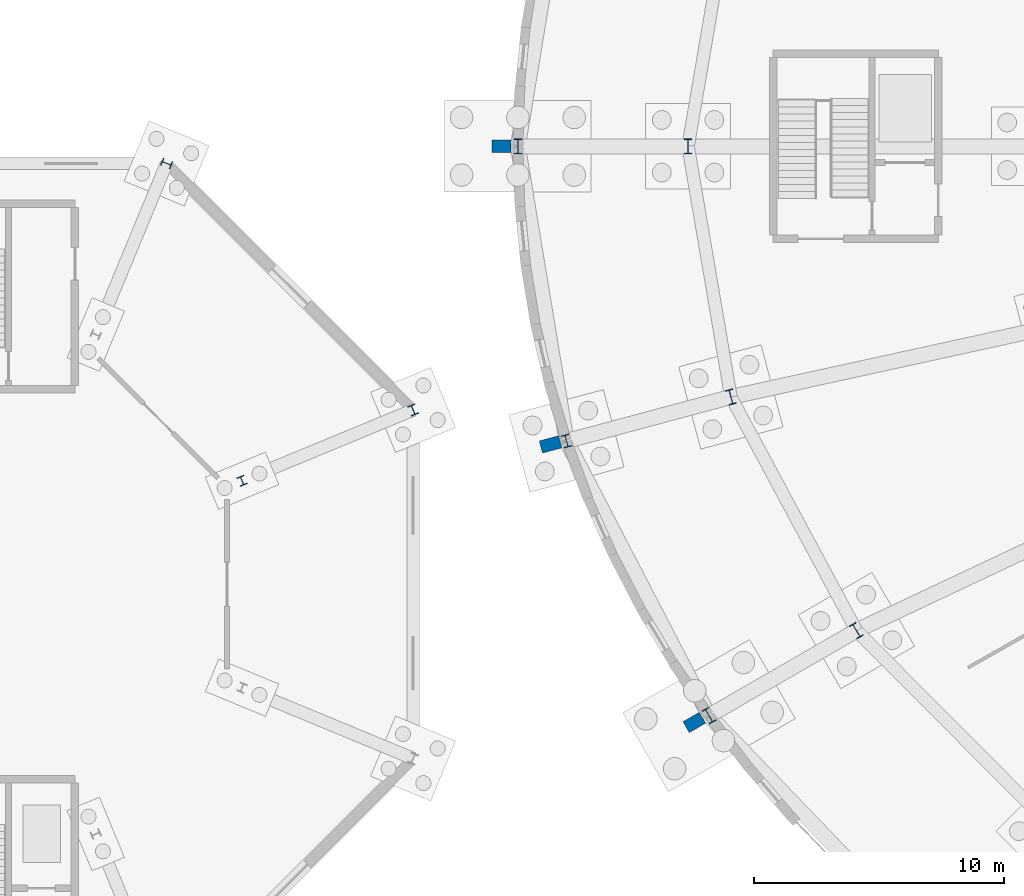
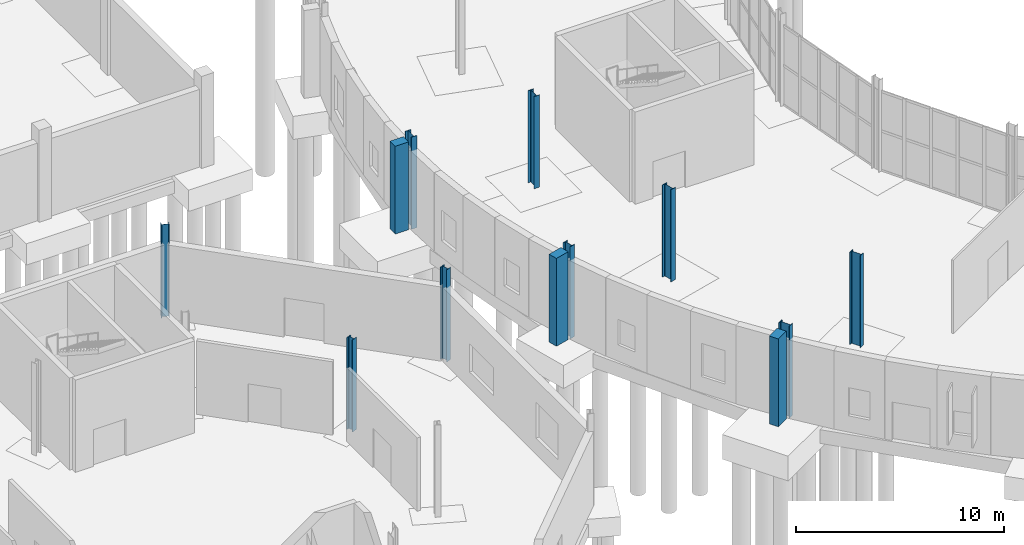
# One storey, part 24 of 118: 12 columns.
"""IFC4 building model written with IfcOpenShell, lengths in metres."""

from ifc_helpers import new_model, si_unit, direction, frame, origin, origin_2d, place, context, subcontext, project, spatial, rectangle, i_section, extrude, material, material_profile, profile_set, type_object, element, save


model = new_model("IFC4")

# Units and contexts
model_context = context("Model", 3, precision=1e-05, world=origin(), true_north=direction((0.0, 1.0)))
body_context = subcontext(model_context, "Body", "Model", "MODEL_VIEW")
ifc_project = project(units=[si_unit("LENGTHUNIT", "METRE"), si_unit("AREAUNIT", "SQUARE_METRE"), si_unit("VOLUMEUNIT", "CUBIC_METRE"), si_unit("PLANEANGLEUNIT", "RADIAN"), si_unit("MASSUNIT", "GRAM", prefix="KILO")], contexts=[model_context])

# Site, building, storey
site_placement = place(None, origin())
site = spatial("IfcSite", under=ifc_project, at=site_placement, CompositionType="ELEMENT")
building_placement = place(site_placement, origin())
building = spatial("IfcBuilding", under=site, at=building_placement, Name="Kildeholm Park Wholesale Market", CompositionType="ELEMENT")
storey_placement = place(building_placement, origin())
storey = spatial("IfcBuildingStorey", under=building, at=storey_placement, Name="L00", CompositionType="ELEMENT", Elevation=0.0)

# Columns
ifc_material_1 = material(Name="Steel S355", Category="steel")
ifc_material_profile_1 = material_profile(ifc_material_1, i_section(OverallWidth=0.300048828125, OverallDepth=0.360107421875, WebThickness=0.012451171875, FlangeThickness=0.0224609375, FilletRadius=0.027099609375, at=origin_2d()), Name="HEB 360")
ifc_profile_set_1 = profile_set([ifc_material_profile_1], Name="Steel S355")
column_type_1 = type_object("IfcColumnType", Name="Column C-S04 HEB 360", PredefinedType="COLUMN", material=ifc_profile_set_1)
column_1_placement = place(storey_placement, frame((30.97802734375, 76.133056640625, 0.0), z_axis=(0.0, 0.0, 1.0), x_axis=(0.923879532511, 0.382683432365, 0.0)))
element("IfcColumn", 1, at=column_1_placement, inside=storey, type_object=column_type_1, Name="Column V3-IN-00 L00 COL-0297", PredefinedType="COLUMN", context=body_context, shape_type="SweptSolid", body=[
    extrude(i_section(OverallWidth=0.300048828125, OverallDepth=0.360107421875, WebThickness=0.012451171875, FlangeThickness=0.0224609375, FilletRadius=0.027099609375, at=origin_2d()), origin(), (0.0, 0.0, 1.0), 5.39990234375),
])
ifc_material_profile_2 = material_profile(ifc_material_1, i_section(OverallWidth=0.300048828125, OverallDepth=0.39990234375, WebThickness=0.013427734375, FlangeThickness=0.02392578125, FilletRadius=0.027099609375, at=origin_2d()), Name="HEB 400")
ifc_profile_set_2 = profile_set([ifc_material_profile_2], Name="Steel S355")
column_type_2 = type_object("IfcColumnType", Name="Column C-S05 HEB 400", PredefinedType="COLUMN", material=ifc_profile_set_2)
for number, where, z_axis, x_axis, name in (
    (2, (37.81494140625, 78.965087890625, 0.0), (0.0, 0.0, 1.0), (0.923879532511, 0.382683432365, 0.0), "Column V3-OT-00 L00 COL-0299"),
    (3, (27.965087890625, 88.81494140625, 0.0), (0.0, 0.0, 1.0), (0.382683432365, 0.923879532511, 0.0), "Column V3-OT-01 L00 COL-0303"),
):
    element("IfcColumn", number, at=place(storey_placement, frame(where, z_axis=z_axis, x_axis=x_axis)), inside=storey, type_object=column_type_2, Name=name, PredefinedType="COLUMN", context=body_context, shape_type="SweptSolid", body=[
        extrude(i_section(OverallWidth=0.300048828125, OverallDepth=0.39990234375, WebThickness=0.013427734375, FlangeThickness=0.02392578125, FilletRadius=0.027099609375, at=origin_2d()), origin(), (0.0, 0.0, 1.0), 5.39990234375),
    ])
ifc_material_profile_3 = material_profile(ifc_material_1, i_section(OverallWidth=0.300048828125, OverallDepth=0.5, WebThickness=0.014404296875, FlangeThickness=0.028076171875, FilletRadius=0.027099609375, at=origin_2d()), Name="HEB 500")
ifc_profile_set_3 = profile_set([ifc_material_profile_3], Name="Steel S355")
column_type_3 = type_object("IfcColumnType", Name="Column C-S07 HEB 500", PredefinedType="COLUMN", material=ifc_profile_set_3)
column_2_placement = place(storey_placement, frame((43.94189453125, 77.72412109375, 0.0), z_axis=(0.0, 0.0, 1.0), x_axis=(-0.965925826289, -0.258819045103, 0.0)))
element("IfcColumn", 4, at=column_2_placement, inside=storey, type_object=column_type_3, Name="Column V1-OT-13 L00 COL-0124", PredefinedType="COLUMN", context=body_context, shape_type="SweptSolid", body=[
    extrude(i_section(OverallWidth=0.300048828125, OverallDepth=0.5, WebThickness=0.014404296875, FlangeThickness=0.028076171875, FilletRadius=0.027099609375, at=origin_2d()), origin(), (0.0, 0.0, 1.0), 5.39990234375),
])
ifc_material_profile_4 = material_profile(ifc_material_1, i_section(OverallWidth=0.300048828125, OverallDepth=0.60009765625, WebThickness=0.015380859375, FlangeThickness=0.030029296875, FilletRadius=0.027099609375, at=origin_2d()), Name="HEB 600")
ifc_profile_set_4 = profile_set([ifc_material_profile_4], Name="Steel S355")
column_type_4 = type_object("IfcColumnType", Name="Column C-S08 HEB 600", PredefinedType="COLUMN", material=ifc_profile_set_4)
for number, where, z_axis, x_axis, name in (
    (5, (48.800048828125, 89.5, 0.0), (0.0, 0.0, 1.0), (-1.0, 0.0, 0.0), "Column V1-MD-12 L00 COL-0112"),
    (6, (42.0, 89.5, 0.0), (0.0, 0.0, 1.0), (-1.0, 0.0, 0.0), "Column V1-OT-12 L00 COL-0115"),
    (7, (50.510986328125, 79.48388671875, 0.0), (0.0, 0.0, 1.0), (-0.965925826289, -0.258819045103, 0.0), "Column V1-MD-13 L00 COL-0121"),
    (8, (55.52587890625, 70.14990234375, 0.0), (0.0, 0.0, 1.0), (-0.866025403784, -0.5, 0.0), "Column V1-MD-14 L00 COL-0130"),
    (9, (49.636962890625, 66.75, 0.0), (0.0, 0.0, 1.0), (-0.866025403784, -0.5, 0.0), "Column V1-OT-14 L00 COL-0133"),
):
    element("IfcColumn", number, at=place(storey_placement, frame(where, z_axis=z_axis, x_axis=x_axis)), inside=storey, type_object=column_type_4, Name=name, PredefinedType="COLUMN", context=body_context, shape_type="SweptSolid", body=[
        extrude(i_section(OverallWidth=0.300048828125, OverallDepth=0.60009765625, WebThickness=0.015380859375, FlangeThickness=0.030029296875, FilletRadius=0.027099609375, at=origin_2d()), origin(), (0.0, 0.0, 1.0), 5.39990234375),
    ])
ifc_material_2 = material(Name="Precast concrete C40/50", Category="concrete")
ifc_material_profile_5 = material_profile(ifc_material_2, rectangle(XDim=0.800048828125, YDim=0.5, at=origin_2d()), Name="PIL 800x500")
ifc_profile_set_5 = profile_set([ifc_material_profile_5], Name="Precast concrete C40/50")
column_type_5 = type_object("IfcColumnType", Name="Column PL-M01 PIL 800x500", PredefinedType="PILASTER", material=ifc_profile_set_5)
column_3_placement = place(storey_placement, frame((43.305908203125, 77.587890625, 0.0), z_axis=(0.0, 0.0, 1.0), x_axis=(-0.965925826289, -0.258819045103, 0.0)))
element("IfcColumn", 10, at=column_3_placement, inside=storey, type_object=column_type_5, Name="Market ring pilaster 14 COL-0126", PredefinedType="PILASTER", context=body_context, shape_type="SweptSolid", body=[
    extrude(rectangle(XDim=0.800048828125, YDim=0.5, at=origin_2d()), origin(), (0.0, 0.0, 1.0), 5.14990234375),
])
ifc_material_profile_6 = material_profile(ifc_material_2, rectangle(XDim=0.75, YDim=0.5, at=origin_2d()), Name="PIL 750x500")
ifc_profile_set_6 = profile_set([ifc_material_profile_6], Name="Precast concrete C40/50")
column_type_6 = type_object("IfcColumnType", Name="Column PL-M02 PIL 750x500", PredefinedType="PILASTER", material=ifc_profile_set_6)
for number, where, z_axis, x_axis, name in (
    (11, (41.35009765625, 89.5, 0.0), (0.0, 0.0, 1.0), (-1.0, 0.0, 0.0), "Market ring pilaster 13 COL-0117"),
    (12, (49.047119140625, 66.47802734375, 0.0), (0.0, 0.0, 1.0), (-0.866025403784, -0.5, 0.0), "Market ring pilaster 15 COL-0135"),
):
    element("IfcColumn", number, at=place(storey_placement, frame(where, z_axis=z_axis, x_axis=x_axis)), inside=storey, type_object=column_type_6, Name=name, PredefinedType="PILASTER", context=body_context, shape_type="SweptSolid", body=[
        extrude(rectangle(XDim=0.75, YDim=0.5, at=origin_2d()), origin(), (0.0, 0.0, 1.0), 5.14990234375),
    ])

save(model, "model.ifc")
